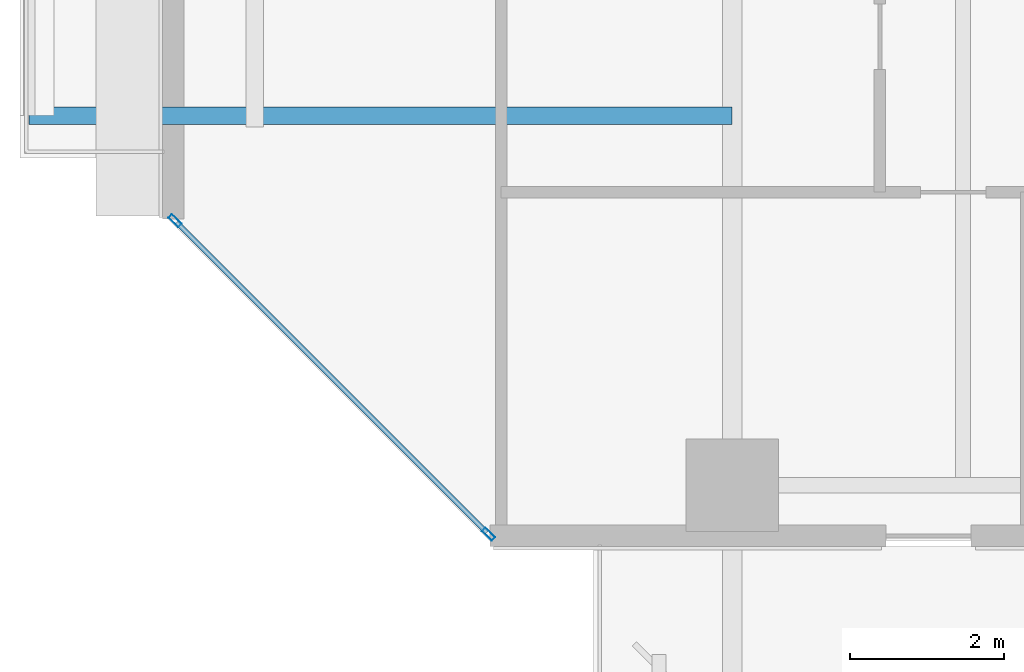
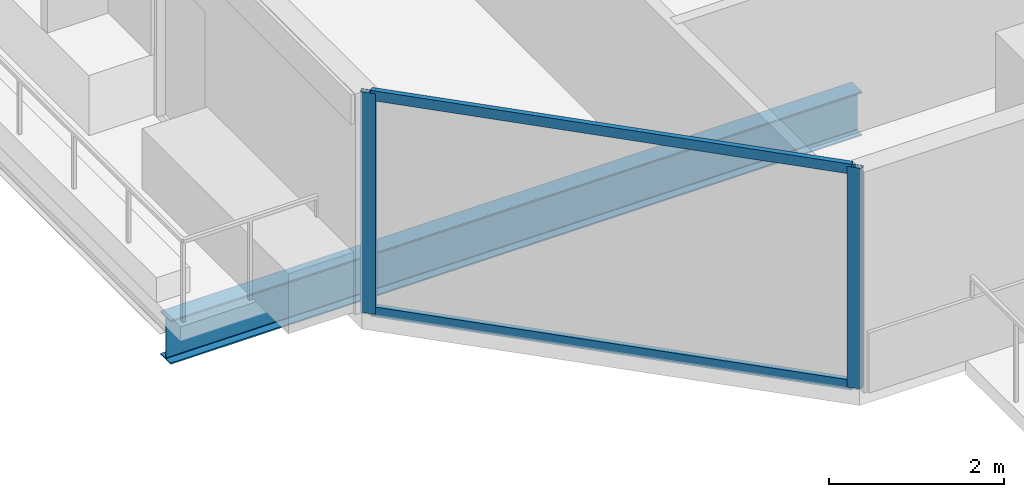
# One storey, part 2 of 33: 4 members, 1 beam, 1 element without a shape of its own.
"""IFC4 building model written with IfcOpenShell, lengths in metres."""

from ifc_helpers import new_model, si_unit, direction, frame, origin, origin_2d, place, context, subcontext, project, spatial, hollow_rectangle, i_section, extrude, material, layer, layer_set, material_profile, profile_set, type_object, element, aggregate, save


model = new_model("IFC4")

# Units and contexts
model_context = context("Model", 3, precision=1e-05, world=origin(), true_north=direction((0.0, 1.0)))
body_context = subcontext(model_context, "Body", "Model", "MODEL_VIEW")
ifc_project = project(units=[si_unit("LENGTHUNIT", "METRE"), si_unit("AREAUNIT", "SQUARE_METRE"), si_unit("VOLUMEUNIT", "CUBIC_METRE"), si_unit("PLANEANGLEUNIT", "RADIAN"), si_unit("MASSUNIT", "GRAM", prefix="KILO")], contexts=[model_context])

# Site, building, storey
site_placement = place(None, origin())
site = spatial("IfcSite", under=ifc_project, at=site_placement, CompositionType="ELEMENT")
building_placement = place(site_placement, origin())
building = spatial("IfcBuilding", under=site, at=building_placement, Name="Tanjung Sevakor Pilgrim Tower", CompositionType="ELEMENT")
storey_placement = place(building_placement, frame((0.0, 0.0, 35.639892578125)))
storey = spatial("IfcBuildingStorey", under=building, at=storey_placement, Name="L09", CompositionType="ELEMENT", Elevation=35.639892578125)

# Beam
ifc_material_1 = material(Name="Steel S355J2", Category="steel")
ifc_material_profile_1 = material_profile(ifc_material_1, i_section(OverallWidth=0.22900390625, OverallDepth=0.6123046875, WebThickness=0.011962890625, FlangeThickness=0.01953125, FilletRadius=0.0126953125, at=origin_2d()))
ifc_profile_set_1 = profile_set([ifc_material_profile_1], Name="Steel S355J2")
beam_type = type_object("IfcBeamType", Name="BM-B-G4-UB_610x229x125", PredefinedType="BEAM", material=ifc_profile_set_1)
beam_placement = place(storey_placement, frame((24.0, 13.199951171875, -0.52587890625), z_axis=(-1.0, 0.0, 0.0), x_axis=(0.0, -1.0, 0.0)))
element("IfcBeam", 1, at=beam_placement, inside=storey, type_object=beam_type, Name="L09 Balcony Overhanging Beam MAIN-W1-1", PredefinedType="BEAM", context=body_context, shape_type="SweptSolid", body=[
    extrude(i_section(OverallWidth=0.22900390625, OverallDepth=0.6123046875, WebThickness=0.011962890625, FlangeThickness=0.01953125, FilletRadius=0.0126953125, at=origin_2d()), origin(), (0.0, 0.0, 1.0), 9.1298828125),
])

# Curtain wall, members
ifc_material_2 = material(Name="Aluminium 6063-T6 and Low-E Glass", Category="aluminium")
ifc_layer = layer(ifc_material_2, 0.179931640625)
ifc_layer_set = layer_set([ifc_layer], Name="CW-SYS-CHAM")
curtain_wall_type = type_object("IfcCurtainWallType", Name="CW-SYS-CHAM", PredefinedType="NOTDEFINED", material=ifc_layer_set)
curtain_wall_placement = place(storey_placement, origin())
curtain_wall = element("IfcCurtainWall", 2, at=curtain_wall_placement, inside=storey, type_object=curtain_wall_type, Name="L09 Curtain Wall CW-CHM-L09-MAIN-15", PredefinedType="NOTDEFINED")
ifc_material_3 = material(Name="Aluminium 6063-T6", Category="aluminium")
ifc_material_profile_2 = material_profile(ifc_material_3, hollow_rectangle(XDim=0.06494140625, YDim=0.179931640625, WallThickness=0.00390625, at=origin_2d()))
ifc_profile_set_2 = profile_set([ifc_material_profile_2], Name="Aluminium 6063-T6")
member_type_1 = type_object("IfcMemberType", Name="TYPE-CWM-1", PredefinedType="MULLION", material=ifc_profile_set_2)
member_1_placement = place(storey_placement, frame((16.762939453125, 11.8349609375, 0.0), z_axis=(0.0, 0.0, 1.0), x_axis=(0.707106781187, 0.707106781187, 0.0)))
member_1 = element("IfcMember", 3, at=member_1_placement, type_object=member_type_1, Name="CW-CHM mullion 1", PredefinedType="MULLION", context=body_context, shape_type="SweptSolid", body=[
    extrude(hollow_rectangle(XDim=0.06494140625, YDim=0.179931640625, WallThickness=0.00390625, at=origin_2d()), origin(), (0.0, 0.0, 1.0), 3.080078125),
])
member_2_placement = place(storey_placement, frame((20.8349609375, 7.762939453125, 0.0), z_axis=(0.0, 0.0, 1.0), x_axis=(0.707106781187, 0.707106781187, 0.0)))
member_2 = element("IfcMember", 4, at=member_2_placement, type_object=member_type_1, Name="CW-CHM mullion 2", PredefinedType="MULLION", context=body_context, shape_type="SweptSolid", body=[
    extrude(hollow_rectangle(XDim=0.06494140625, YDim=0.179931640625, WallThickness=0.00390625, at=origin_2d()), origin(), (0.0, 0.0, 1.0), 3.080078125),
])
ifc_material_4 = material(Name="Aluminium 6063-T6", Category="aluminium")
ifc_material_profile_3 = material_profile(ifc_material_4, hollow_rectangle(XDim=0.06494140625, YDim=0.139892578125, WallThickness=0.00390625, at=origin_2d()))
ifc_profile_set_3 = profile_set([ifc_material_profile_3], Name="Aluminium 6063-T6")
member_type_2 = type_object("IfcMemberType", Name="TYPE-CWT-1", PredefinedType="USERDEFINED", material=ifc_profile_set_3)
member_3_placement = place(storey_placement, frame((16.785888671875, 11.81201171875, 0.03271484375), z_axis=(0.707106781187, -0.707106781187, 0.0), x_axis=(0.707106781187, 0.707106781187, 0.0)))
member_3 = element("IfcMember", 5, at=member_3_placement, type_object=member_type_2, Name="CW-CHM transom 1.1", ObjectType="TRANSOM", PredefinedType="USERDEFINED", context=body_context, shape_type="SweptSolid", body=[
    extrude(hollow_rectangle(XDim=0.06494140625, YDim=0.139892578125, WallThickness=0.00390625, at=origin_2d()), origin(), (0.0, 0.0, 1.0), 5.69384765625),
])
member_4_placement = place(storey_placement, frame((16.785888671875, 11.81201171875, 3.047607421875), z_axis=(0.707106781187, -0.707106781187, 0.0), x_axis=(0.707106781187, 0.707106781187, 0.0)))
member_4 = element("IfcMember", 6, at=member_4_placement, type_object=member_type_2, Name="CW-CHM transom 1.2", ObjectType="TRANSOM", PredefinedType="USERDEFINED", context=body_context, shape_type="SweptSolid", body=[
    extrude(hollow_rectangle(XDim=0.06494140625, YDim=0.139892578125, WallThickness=0.00390625, at=origin_2d()), origin(), (0.0, 0.0, 1.0), 5.69384765625),
])
aggregate(curtain_wall, [member_1, member_2, member_3, member_4])

save(model, "model.ifc")
